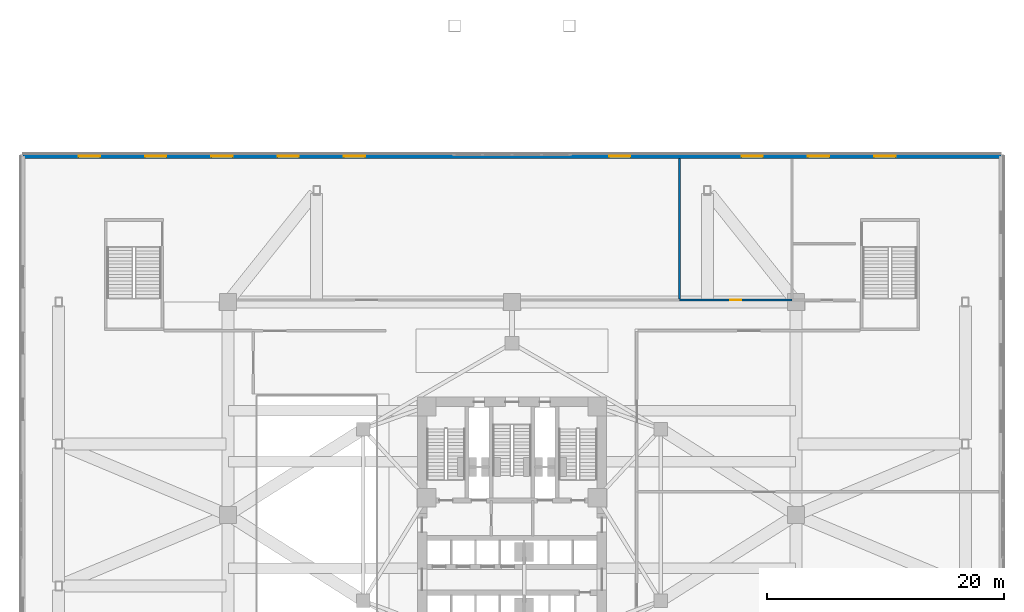
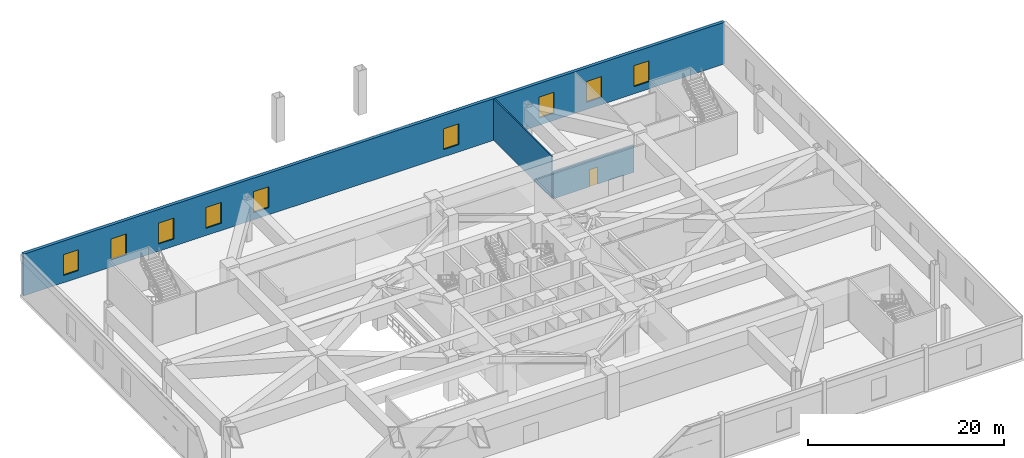
# One storey, part 13 of 23: 9 windows, 3 walls, 1 door, 10 openings.
"""IFC4 building model written with IfcOpenShell, lengths in metres."""

from ifc_helpers import new_model, si_unit, direction, frame, frame_2d, origin, place, context, subcontext, project, spatial, rectangle, extrude, material, layer, layer_set, type_object, element, fill, save


model = new_model("IFC4")

# Units and contexts
model_context = context("Model", 3, precision=1e-05, world=origin(), true_north=direction((0.0, 1.0)))
body_context = subcontext(model_context, "Body", "Model", "MODEL_VIEW")
ifc_project = project(units=[si_unit("LENGTHUNIT", "METRE"), si_unit("AREAUNIT", "SQUARE_METRE"), si_unit("VOLUMEUNIT", "CUBIC_METRE"), si_unit("PLANEANGLEUNIT", "RADIAN"), si_unit("MASSUNIT", "GRAM", prefix="KILO")], contexts=[model_context])

# Site, building, storey
site_placement = place(None, origin())
site = spatial("IfcSite", under=ifc_project, at=site_placement, CompositionType="ELEMENT")
building_placement = place(site_placement, origin())
building = spatial("IfcBuilding", under=site, at=building_placement, Name="Apsidion Concourse Tower", CompositionType="ELEMENT")
storey_placement = place(building_placement, frame((0.0, 0.0, 6.0)))
storey = spatial("IfcBuildingStorey", under=building, at=storey_placement, Name="L01", CompositionType="ELEMENT", Elevation=6.0)

# Wall, openings, windows
ifc_material_1 = material(Name="Precast concrete C40/50", Category="concrete")
ifc_layer_1 = layer(ifc_material_1, 0.360107421875)
ifc_layer_set_1 = layer_set([ifc_layer_1], Name="Precast concrete C40/50")
wall_type_1 = type_object("IfcWallType", Name="WL-EXT-360", PredefinedType="STANDARD", material=ifc_layer_set_1)
wall_1_placement = place(storey_placement, frame((-41.300048828125, 30.300048828125, 0.0), z_axis=(0.0, 0.0, 1.0), x_axis=(1.0, 0.0, 0.0)))
wall_1 = element("IfcWall", 1, at=wall_1_placement, inside=storey, type_object=wall_type_1, Name="L01 Podium Precast Stone Facade Wall N", PredefinedType="STANDARD", context=body_context, shape_type="SweptSolid", body=[
    extrude(rectangle(XDim=82.60009765625, YDim=0.360107421875, at=frame_2d((41.300048828125, 0.0))), origin(), (0.0, 0.0, 1.0), 5.199951171875),
])
opening_1_placement = place(wall_1_placement, frame((4.699951171875, 0.0, 0.89990234375)))
opening_1 = element("IfcOpeningElement", 2, at=opening_1_placement, cuts=wall_1, Name="Opening WN-01", PredefinedType="OPENING", context=body_context, shape_type="SweptSolid", body=[
    extrude(rectangle(XDim=1.800048828125, YDim=2.60009765625, at=frame_2d((0.89990234375, 1.300048828125))), frame((0.0, 0.18994140625, 0.0), z_axis=(0.0, -1.0, 0.0), x_axis=(1.0, 0.0, 0.0)), (0.0, 0.0, 1.0), 0.380126953125),
])
opening_2_placement = place(wall_1_placement, frame((10.300048828125, 0.0, 0.89990234375)))
opening_2 = element("IfcOpeningElement", 3, at=opening_2_placement, cuts=wall_1, Name="Opening WN-01", PredefinedType="OPENING", context=body_context, shape_type="SweptSolid", body=[
    extrude(rectangle(XDim=1.800048828125, YDim=2.60009765625, at=frame_2d((0.89990234375, 1.300048828125))), frame((0.0, 0.18994140625, 0.0), z_axis=(0.0, -1.0, 0.0), x_axis=(1.0, 0.0, 0.0)), (0.0, 0.0, 1.0), 0.380126953125),
])
opening_3_placement = place(wall_1_placement, frame((15.89990234375, 0.0, 0.89990234375)))
opening_3 = element("IfcOpeningElement", 4, at=opening_3_placement, cuts=wall_1, Name="Opening WN-01", PredefinedType="OPENING", context=body_context, shape_type="SweptSolid", body=[
    extrude(rectangle(XDim=1.800048828125, YDim=2.60009765625, at=frame_2d((0.89990234375, 1.300048828125))), frame((0.0, 0.18994140625, 0.0), z_axis=(0.0, -1.0, 0.0), x_axis=(1.0, 0.0, 0.0)), (0.0, 0.0, 1.0), 0.380126953125),
])
opening_4_placement = place(wall_1_placement, frame((21.5, 0.0, 0.89990234375)))
opening_4 = element("IfcOpeningElement", 5, at=opening_4_placement, cuts=wall_1, Name="Opening WN-01", PredefinedType="OPENING", context=body_context, shape_type="SweptSolid", body=[
    extrude(rectangle(XDim=1.800048828125, YDim=2.60009765625, at=frame_2d((0.89990234375, 1.300048828125))), frame((0.0, 0.18994140625, 0.0), z_axis=(0.0, -1.0, 0.0), x_axis=(1.0, 0.0, 0.0)), (0.0, 0.0, 1.0), 0.380126953125),
])
opening_5_placement = place(wall_1_placement, frame((27.10009765625, 0.0, 0.89990234375)))
opening_5 = element("IfcOpeningElement", 6, at=opening_5_placement, cuts=wall_1, Name="Opening WN-01", PredefinedType="OPENING", context=body_context, shape_type="SweptSolid", body=[
    extrude(rectangle(XDim=1.800048828125, YDim=2.60009765625, at=frame_2d((0.89990234375, 1.300048828125))), frame((0.0, 0.18994140625, 0.0), z_axis=(0.0, -1.0, 0.0), x_axis=(1.0, 0.0, 0.0)), (0.0, 0.0, 1.0), 0.380126953125),
])
opening_6_placement = place(wall_1_placement, frame((49.5, 0.0, 0.89990234375)))
opening_6 = element("IfcOpeningElement", 7, at=opening_6_placement, cuts=wall_1, Name="Opening WN-01", PredefinedType="OPENING", context=body_context, shape_type="SweptSolid", body=[
    extrude(rectangle(XDim=1.800048828125, YDim=2.60009765625, at=frame_2d((0.89990234375, 1.300048828125))), frame((0.0, 0.18994140625, 0.0), z_axis=(0.0, -1.0, 0.0), x_axis=(1.0, 0.0, 0.0)), (0.0, 0.0, 1.0), 0.380126953125),
])
opening_7_placement = place(wall_1_placement, frame((60.699951171875, 0.0, 0.89990234375)))
opening_7 = element("IfcOpeningElement", 8, at=opening_7_placement, cuts=wall_1, Name="Opening WN-01", PredefinedType="OPENING", context=body_context, shape_type="SweptSolid", body=[
    extrude(rectangle(XDim=1.800048828125, YDim=2.60009765625, at=frame_2d((0.89990234375, 1.300048828125))), frame((0.0, 0.18994140625, 0.0), z_axis=(0.0, -1.0, 0.0), x_axis=(1.0, 0.0, 0.0)), (0.0, 0.0, 1.0), 0.380126953125),
])
opening_8_placement = place(wall_1_placement, frame((66.300048828125, 0.0, 0.89990234375)))
opening_8 = element("IfcOpeningElement", 9, at=opening_8_placement, cuts=wall_1, Name="Opening WN-01", PredefinedType="OPENING", context=body_context, shape_type="SweptSolid", body=[
    extrude(rectangle(XDim=1.800048828125, YDim=2.60009765625, at=frame_2d((0.89990234375, 1.300048828125))), frame((0.0, 0.18994140625, 0.0), z_axis=(0.0, -1.0, 0.0), x_axis=(1.0, 0.0, 0.0)), (0.0, 0.0, 1.0), 0.380126953125),
])
opening_9_placement = place(wall_1_placement, frame((71.89990234375, 0.0, 0.89990234375)))
opening_9 = element("IfcOpeningElement", 10, at=opening_9_placement, cuts=wall_1, Name="Opening WN-01", PredefinedType="OPENING", context=body_context, shape_type="SweptSolid", body=[
    extrude(rectangle(XDim=1.800048828125, YDim=2.60009765625, at=frame_2d((0.89990234375, 1.300048828125))), frame((0.0, 0.18994140625, 0.0), z_axis=(0.0, -1.0, 0.0), x_axis=(1.0, 0.0, 0.0)), (0.0, 0.0, 1.0), 0.380126953125),
])
ifc_material_2 = material(Name="Insulated laminated low-E glass", Category="glass")
window_type = type_object("IfcWindowType", Name="WN-POD-1828", PartitioningType="DOUBLE_PANEL_VERTICAL", PredefinedType="WINDOW", material=ifc_material_2)
window_1_placement = place(opening_1_placement, origin())
window_1 = element("IfcWindow", 11, at=window_1_placement, inside=storey, type_object=window_type, Name="L01 Podium Window N-01", OverallHeight=2.60009765625, OverallWidth=1.800048828125, PartitioningType="DOUBLE_PANEL_VERTICAL", PredefinedType="WINDOW", context=body_context, shape_type="SweptSolid", body=[
    extrude(rectangle(XDim=1.800048828125, YDim=2.60009765625, at=frame_2d((0.89990234375, 1.300048828125))), frame((0.0, 0.030029296875, 0.0), z_axis=(0.0, -1.0, 0.0), x_axis=(1.0, 0.0, 0.0)), (0.0, 0.0, 1.0), 0.06005859375),
])
fill(opening_1, window_1)
window_2_placement = place(opening_2_placement, origin())
window_2 = element("IfcWindow", 12, at=window_2_placement, inside=storey, type_object=window_type, Name="L01 Podium Window N-02", OverallHeight=2.60009765625, OverallWidth=1.800048828125, PartitioningType="DOUBLE_PANEL_VERTICAL", PredefinedType="WINDOW", context=body_context, shape_type="SweptSolid", body=[
    extrude(rectangle(XDim=1.800048828125, YDim=2.60009765625, at=frame_2d((0.89990234375, 1.300048828125))), frame((0.0, 0.030029296875, 0.0), z_axis=(0.0, -1.0, 0.0), x_axis=(1.0, 0.0, 0.0)), (0.0, 0.0, 1.0), 0.06005859375),
])
fill(opening_2, window_2)
window_3_placement = place(opening_3_placement, origin())
window_3 = element("IfcWindow", 13, at=window_3_placement, inside=storey, type_object=window_type, Name="L01 Podium Window N-03", OverallHeight=2.60009765625, OverallWidth=1.800048828125, PartitioningType="DOUBLE_PANEL_VERTICAL", PredefinedType="WINDOW", context=body_context, shape_type="SweptSolid", body=[
    extrude(rectangle(XDim=1.800048828125, YDim=2.60009765625, at=frame_2d((0.89990234375, 1.300048828125))), frame((0.0, 0.030029296875, 0.0), z_axis=(0.0, -1.0, 0.0), x_axis=(1.0, 0.0, 0.0)), (0.0, 0.0, 1.0), 0.06005859375),
])
fill(opening_3, window_3)
window_4_placement = place(opening_4_placement, origin())
window_4 = element("IfcWindow", 14, at=window_4_placement, inside=storey, type_object=window_type, Name="L01 Podium Window N-04", OverallHeight=2.60009765625, OverallWidth=1.800048828125, PartitioningType="DOUBLE_PANEL_VERTICAL", PredefinedType="WINDOW", context=body_context, shape_type="SweptSolid", body=[
    extrude(rectangle(XDim=1.800048828125, YDim=2.60009765625, at=frame_2d((0.89990234375, 1.300048828125))), frame((0.0, 0.030029296875, 0.0), z_axis=(0.0, -1.0, 0.0), x_axis=(1.0, 0.0, 0.0)), (0.0, 0.0, 1.0), 0.06005859375),
])
fill(opening_4, window_4)
window_5_placement = place(opening_5_placement, origin())
window_5 = element("IfcWindow", 15, at=window_5_placement, inside=storey, type_object=window_type, Name="L01 Podium Window N-05", OverallHeight=2.60009765625, OverallWidth=1.800048828125, PartitioningType="DOUBLE_PANEL_VERTICAL", PredefinedType="WINDOW", context=body_context, shape_type="SweptSolid", body=[
    extrude(rectangle(XDim=1.800048828125, YDim=2.60009765625, at=frame_2d((0.89990234375, 1.300048828125))), frame((0.0, 0.030029296875, 0.0), z_axis=(0.0, -1.0, 0.0), x_axis=(1.0, 0.0, 0.0)), (0.0, 0.0, 1.0), 0.06005859375),
])
fill(opening_5, window_5)
window_6_placement = place(opening_6_placement, origin())
window_6 = element("IfcWindow", 16, at=window_6_placement, inside=storey, type_object=window_type, Name="L01 Podium Window N-09", OverallHeight=2.60009765625, OverallWidth=1.800048828125, PartitioningType="DOUBLE_PANEL_VERTICAL", PredefinedType="WINDOW", context=body_context, shape_type="SweptSolid", body=[
    extrude(rectangle(XDim=1.800048828125, YDim=2.60009765625, at=frame_2d((0.89990234375, 1.300048828125))), frame((0.0, 0.030029296875, 0.0), z_axis=(0.0, -1.0, 0.0), x_axis=(1.0, 0.0, 0.0)), (0.0, 0.0, 1.0), 0.06005859375),
])
fill(opening_6, window_6)
window_7_placement = place(opening_7_placement, origin())
window_7 = element("IfcWindow", 17, at=window_7_placement, inside=storey, type_object=window_type, Name="L01 Podium Window N-11", OverallHeight=2.60009765625, OverallWidth=1.800048828125, PartitioningType="DOUBLE_PANEL_VERTICAL", PredefinedType="WINDOW", context=body_context, shape_type="SweptSolid", body=[
    extrude(rectangle(XDim=1.800048828125, YDim=2.60009765625, at=frame_2d((0.89990234375, 1.300048828125))), frame((0.0, 0.030029296875, 0.0), z_axis=(0.0, -1.0, 0.0), x_axis=(1.0, 0.0, 0.0)), (0.0, 0.0, 1.0), 0.06005859375),
])
fill(opening_7, window_7)
window_8_placement = place(opening_8_placement, origin())
window_8 = element("IfcWindow", 18, at=window_8_placement, inside=storey, type_object=window_type, Name="L01 Podium Window N-12", OverallHeight=2.60009765625, OverallWidth=1.800048828125, PartitioningType="DOUBLE_PANEL_VERTICAL", PredefinedType="WINDOW", context=body_context, shape_type="SweptSolid", body=[
    extrude(rectangle(XDim=1.800048828125, YDim=2.60009765625, at=frame_2d((0.89990234375, 1.300048828125))), frame((0.0, 0.030029296875, 0.0), z_axis=(0.0, -1.0, 0.0), x_axis=(1.0, 0.0, 0.0)), (0.0, 0.0, 1.0), 0.06005859375),
])
fill(opening_8, window_8)
window_9_placement = place(opening_9_placement, origin())
window_9 = element("IfcWindow", 19, at=window_9_placement, inside=storey, type_object=window_type, Name="L01 Podium Window N-13", OverallHeight=2.60009765625, OverallWidth=1.800048828125, PartitioningType="DOUBLE_PANEL_VERTICAL", PredefinedType="WINDOW", context=body_context, shape_type="SweptSolid", body=[
    extrude(rectangle(XDim=1.800048828125, YDim=2.60009765625, at=frame_2d((0.89990234375, 1.300048828125))), frame((0.0, 0.030029296875, 0.0), z_axis=(0.0, -1.0, 0.0), x_axis=(1.0, 0.0, 0.0)), (0.0, 0.0, 1.0), 0.06005859375),
])
fill(opening_9, window_9)

# Wall
ifc_material_3 = material(Name="Gypsum plasterboard partition")
ifc_layer_2 = layer(ifc_material_3, 0.14990234375)
ifc_layer_set_2 = layer_set([ifc_layer_2], Name="Gypsum plasterboard partition")
wall_type_2 = type_object("IfcWallType", Name="WL-INT-PAR-150", PredefinedType="PARTITIONING", material=ifc_layer_set_2)
wall_2_placement = place(storey_placement, frame((14.14990234375, 18.25, 0.0), z_axis=(0.0, 0.0, 1.0), x_axis=(0.0, 1.0, 0.0)))
element("IfcWall", 20, at=wall_2_placement, inside=storey, type_object=wall_type_2, Name="L01 Interior Partition WL-L01-WCV1", PredefinedType="PARTITIONING", context=body_context, shape_type="SweptSolid", body=[
    extrude(rectangle(XDim=11.85498046875, YDim=0.14990234375, at=frame_2d((5.927490234375, 0.0))), origin(), (0.0, 0.0, 1.0), 5.199951171875),
])

# Wall, opening, door
ifc_layer_3 = layer(ifc_material_3, 0.179931640625)
ifc_layer_set_3 = layer_set([ifc_layer_3], Name="Gypsum plasterboard partition")
wall_type_3 = type_object("IfcWallType", Name="WL-INT-PAR-180", PredefinedType="PARTITIONING", material=ifc_layer_set_3)
wall_3_placement = place(storey_placement, frame((14.14990234375, 18.14990234375, 0.0), z_axis=(0.0, 0.0, 1.0), x_axis=(1.0, 0.0, 0.0)))
wall_3 = element("IfcWall", 21, at=wall_3_placement, inside=storey, type_object=wall_type_3, Name="L01 Interior Partition WL-L01-WC1", PredefinedType="PARTITIONING", context=body_context, shape_type="SweptSolid", body=[
    extrude(rectangle(XDim=9.5, YDim=0.179931640625, at=frame_2d((4.75, 0.0))), origin(), (0.0, 0.0, 1.0), 3.3798828125),
])
opening_10_placement = place(wall_3_placement, frame((4.27490234375, 0.0, 0.0)))
opening_10 = element("IfcOpeningElement", 22, at=opening_10_placement, cuts=wall_3, Name="Opening D-01L", PredefinedType="OPENING", context=body_context, shape_type="SweptSolid", body=[
    extrude(rectangle(XDim=0.949951171875, YDim=2.14990234375, at=frame_2d((0.47509765625, 1.074951171875))), frame((0.0, 0.10009765625, 0.0), z_axis=(0.0, -1.0, 0.0), x_axis=(1.0, 0.0, 0.0)), (0.0, 0.0, 1.0), 0.199951171875),
])
ifc_material_4 = material(Name="Brushed stainless steel 316", Category="steel")
door_type = type_object("IfcDoorType", Name="DR-INT-D01L", OperationType="SINGLE_SWING_LEFT", PredefinedType="DOOR", material=ifc_material_4)
door_placement = place(opening_10_placement, origin())
door = element("IfcDoor", 23, at=door_placement, inside=storey, type_object=door_type, Name="L01 Convention Door WL-L01-WC1", OperationType="SINGLE_SWING_LEFT", OverallHeight=2.14990234375, OverallWidth=0.949951171875, PredefinedType="DOOR", context=body_context, shape_type="SweptSolid", body=[
    extrude(rectangle(XDim=0.949951171875, YDim=2.14990234375, at=frame_2d((0.47509765625, 1.074951171875))), frame((0.0, 0.02490234375, 0.0), z_axis=(0.0, -1.0, 0.0), x_axis=(1.0, 0.0, 0.0)), (0.0, 0.0, 1.0), 0.050048828125),
])
fill(opening_10, door)

save(model, "model.ifc")
